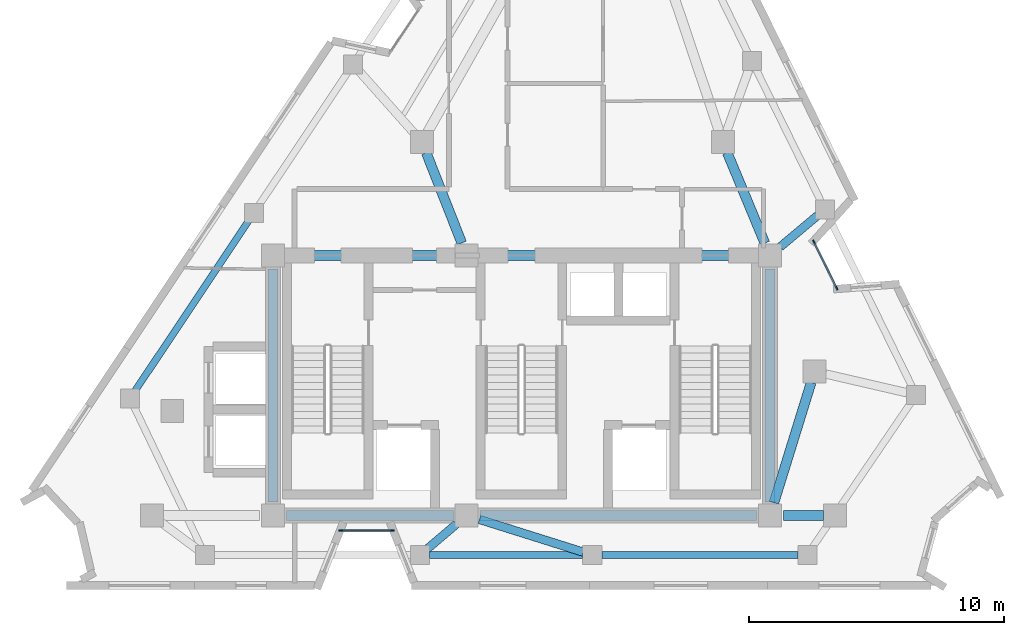
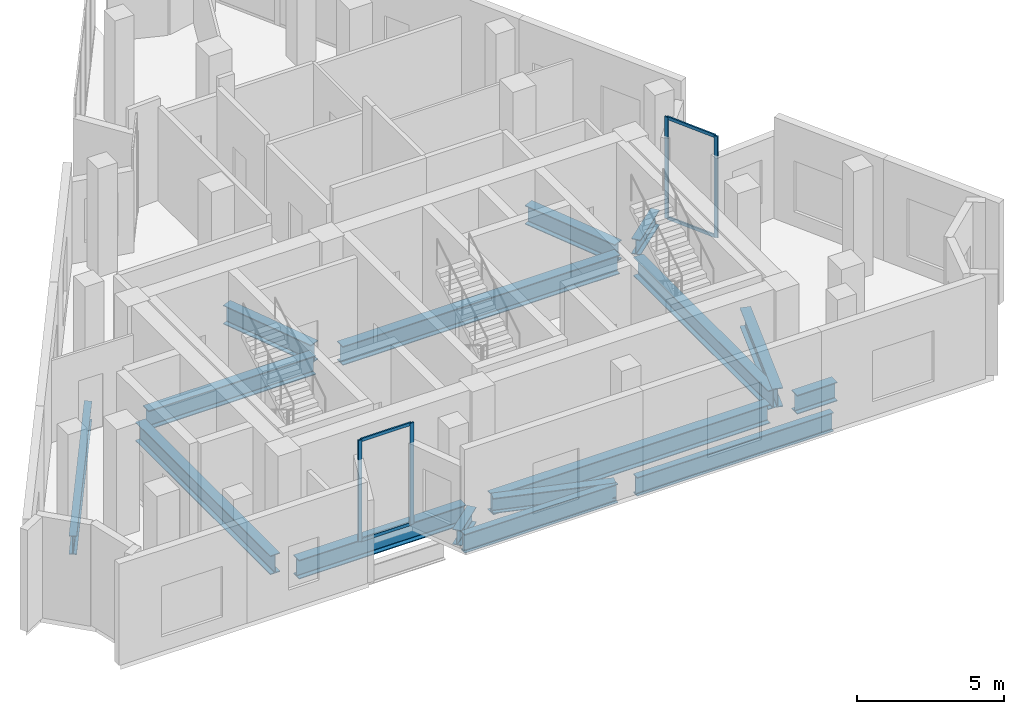
# One storey, part 2 of 9: 16 beams, 8 members, 2 elements without a shape of their own.
"""IFC4 building model written with IfcOpenShell, lengths in metres."""

from ifc_helpers import new_model, si_unit, direction, frame, origin, origin_2d, place, context, subcontext, project, spatial, rectangle, i_section, extrude, material, layer, layer_set, material_profile, profile_set, type_object, element, aggregate, save


model = new_model("IFC4")

# Units and contexts
model_context = context("Model", 3, precision=1e-05, world=origin(), true_north=direction((0.0, 1.0)))
body_context = subcontext(model_context, "Body", "Model", "MODEL_VIEW")
ifc_project = project(units=[si_unit("LENGTHUNIT", "METRE"), si_unit("AREAUNIT", "SQUARE_METRE"), si_unit("VOLUMEUNIT", "CUBIC_METRE"), si_unit("PLANEANGLEUNIT", "RADIAN"), si_unit("MASSUNIT", "GRAM", prefix="KILO")], contexts=[model_context])

# Site, building, storey
site_placement = place(None, origin())
site = spatial("IfcSite", under=ifc_project, at=site_placement, CompositionType="ELEMENT")
building_placement = place(site_placement, origin())
building = spatial("IfcBuilding", under=site, at=building_placement, Name="Almagre Mirador Tower", CompositionType="ELEMENT")
storey_placement = place(building_placement, frame((0.0, 0.0, 289.5)))
storey = spatial("IfcBuildingStorey", under=building, at=storey_placement, Name="L75", CompositionType="ELEMENT", Elevation=289.5)

# Beams
ifc_material_1 = material(Name="Steel ASTM A992 Grade 50", Category="steel")
ifc_material_profile_1 = material_profile(ifc_material_1, i_section(OverallWidth=0.26708984375, OverallDepth=0.779052734375, WebThickness=0.0166015625, FlangeThickness=0.030029296875, FilletRadius=0.02392578125, at=origin_2d()), Name="W30X148")
ifc_profile_set_1 = profile_set([ifc_material_profile_1], Name="Steel ASTM A992 Grade 50")
beam_type_1 = type_object("IfcBeamType", Name="BM-SPN-W30X148", PredefinedType="SPANDREL", material=ifc_profile_set_1)
beam_1_placement = place(storey_placement, frame((33.698974609375, 3.0, -0.689453125), z_axis=(1.0, 0.0, 0.0), x_axis=(0.0, 1.0, 0.0)))
element("IfcBeam", 1, at=beam_1_placement, inside=storey, type_object=beam_type_1, Name="L75 perimeter spandrel beam PC02-PC03", PredefinedType="SPANDREL", context=body_context, shape_type="SweptSolid", body=[
    extrude(i_section(OverallWidth=0.26708984375, OverallDepth=0.779052734375, WebThickness=0.0166015625, FlangeThickness=0.030029296875, FilletRadius=0.02392578125, at=origin_2d()), origin(), (0.0, 0.0, 1.0), 6.001953125),
])
beam_2_placement = place(storey_placement, frame((40.450927734375, 3.0, -0.689453125), z_axis=(1.0, 0.0, 0.0), x_axis=(0.0, 1.0, 0.0)))
element("IfcBeam", 2, at=beam_2_placement, inside=storey, type_object=beam_type_1, Name="L75 perimeter spandrel beam PC03-PC04", PredefinedType="SPANDREL", context=body_context, shape_type="SweptSolid", body=[
    extrude(i_section(OverallWidth=0.26708984375, OverallDepth=0.779052734375, WebThickness=0.0166015625, FlangeThickness=0.030029296875, FilletRadius=0.02392578125, at=origin_2d()), origin(), (0.0, 0.0, 1.0), 7.690185546875),
])
beam_3_placement = place(storey_placement, frame((26.595703125, 16.110107421875, -0.689453125), z_axis=(-0.555228061938, -0.831698141898, 0.0), x_axis=(0.831698141898, -0.555228061938, 0.0)))
element("IfcBeam", 3, at=beam_3_placement, inside=storey, type_object=beam_type_1, Name="L75 perimeter spandrel beam PC11-PC12", PredefinedType="SPANDREL", context=body_context, shape_type="SweptSolid", body=[
    extrude(i_section(OverallWidth=0.26708984375, OverallDepth=0.779052734375, WebThickness=0.0166015625, FlangeThickness=0.030029296875, FilletRadius=0.02392578125, at=origin_2d()), origin(), (0.0, 0.0, 1.0), 8.003173828125),
])
ifc_material_2 = material(Name="Steel ASTM A992 Grade 50", Category="steel")
ifc_material_profile_2 = material_profile(ifc_material_2, i_section(OverallWidth=0.330078125, OverallDepth=0.635009765625, WebThickness=0.017822265625, FlangeThickness=0.031005859375, FilletRadius=0.02001953125, at=origin_2d()), Name="W24X162")
ifc_profile_set_2 = profile_set([ifc_material_profile_2], Name="Steel ASTM A992 Grade 50")
beam_type_2 = type_object("IfcBeamType", Name="BM-STL-W24X162", PredefinedType="BEAM", material=ifc_profile_set_2)
beam_4_placement = place(storey_placement, frame((33.60986328125, 3.24267578125, -0.617431640625), z_axis=(0.762394394192, 0.647112654569, 0.0), x_axis=(-0.647112654569, 0.762394394192, 0.0)))
element("IfcBeam", 4, at=beam_4_placement, inside=storey, type_object=beam_type_2, Name="L75 radial floor girder PC02-CC2", PredefinedType="BEAM", context=body_context, shape_type="SweptSolid", body=[
    extrude(i_section(OverallWidth=0.330078125, OverallDepth=0.635009765625, WebThickness=0.017822265625, FlangeThickness=0.031005859375, FilletRadius=0.02001953125, at=origin_2d()), origin(), (0.0, 0.0, 1.0), 1.4951171875),
])
beam_5_placement = place(storey_placement, frame((39.71826171875, 3.112548828125, -0.617431640625), z_axis=(-0.953895402065, 0.300139237553, 0.0), x_axis=(-0.300139237553, -0.953895402065, 0.0)))
element("IfcBeam", 5, at=beam_5_placement, inside=storey, type_object=beam_type_2, Name="L75 radial floor girder PC03-CC2", PredefinedType="BEAM", context=body_context, shape_type="SweptSolid", body=[
    extrude(i_section(OverallWidth=0.330078125, OverallDepth=0.635009765625, WebThickness=0.017822265625, FlangeThickness=0.031005859375, FilletRadius=0.02001953125, at=origin_2d()), origin(), (0.0, 0.0, 1.0), 4.263916015625),
])
beam_6_placement = place(storey_placement, frame((48.917724609375, 16.31689453125, -0.617431640625), z_axis=(-0.766114512284, -0.642704095263, 0.0), x_axis=(0.642704095263, -0.766114512284, 0.0)))
element("IfcBeam", 6, at=beam_6_placement, inside=storey, type_object=beam_type_2, Name="L75 radial floor girder PC06-CC6", PredefinedType="BEAM", context=body_context, shape_type="SweptSolid", body=[
    extrude(i_section(OverallWidth=0.330078125, OverallDepth=0.635009765625, WebThickness=0.017822265625, FlangeThickness=0.031005859375, FilletRadius=0.02001953125, at=origin_2d()), origin(), (0.0, 0.0, 1.0), 1.9130859375),
])
ifc_material_3 = material(Name="Steel ASTM A992 Grade 50", Category="steel")
ifc_material_profile_3 = material_profile(ifc_material_3, i_section(OverallWidth=0.384033203125, OverallDepth=0.784912109375, WebThickness=0.019775390625, FlangeThickness=0.033447265625, FilletRadius=0.02392578125, at=origin_2d()), Name="W30X211")
ifc_profile_set_3 = profile_set([ifc_material_profile_3], Name="Steel ASTM A992 Grade 50")
beam_type_3 = type_object("IfcBeamType", Name="BM-STL-W30X211", PredefinedType="BEAM", material=ifc_profile_set_3)
beam_7_placement = place(storey_placement, frame((28.074951171875, 4.550048828125, -0.6923828125), z_axis=(1.0, 0.0, 0.0), x_axis=(0.0, 1.0, 0.0)))
element("IfcBeam", 7, at=beam_7_placement, inside=storey, type_object=beam_type_3, Name="L75 core tie girder CC1-CC2", PredefinedType="BEAM", context=body_context, shape_type="SweptSolid", body=[
    extrude(i_section(OverallWidth=0.384033203125, OverallDepth=0.784912109375, WebThickness=0.019775390625, FlangeThickness=0.033447265625, FilletRadius=0.02392578125, at=origin_2d()), origin(), (0.0, 0.0, 1.0), 6.550048828125),
])
beam_8_placement = place(storey_placement, frame((35.675048828125, 4.550048828125, -0.6923828125), z_axis=(1.0, 0.0, 0.0), x_axis=(0.0, 1.0, 0.0)))
element("IfcBeam", 8, at=beam_8_placement, inside=storey, type_object=beam_type_3, Name="L75 core tie girder CC2-CC3", PredefinedType="BEAM", context=body_context, shape_type="SweptSolid", body=[
    extrude(i_section(OverallWidth=0.384033203125, OverallDepth=0.784912109375, WebThickness=0.019775390625, FlangeThickness=0.033447265625, FilletRadius=0.02392578125, at=origin_2d()), origin(), (0.0, 0.0, 1.0), 10.849853515625),
])
beam_9_placement = place(storey_placement, frame((28.074951171875, 14.75, -0.6923828125), z_axis=(1.0, 0.0, 0.0), x_axis=(0.0, 1.0, 0.0)))
element("IfcBeam", 9, at=beam_9_placement, inside=storey, type_object=beam_type_3, Name="L75 core tie girder CC4-CC5", PredefinedType="BEAM", context=body_context, shape_type="SweptSolid", body=[
    extrude(i_section(OverallWidth=0.384033203125, OverallDepth=0.784912109375, WebThickness=0.019775390625, FlangeThickness=0.033447265625, FilletRadius=0.02392578125, at=origin_2d()), origin(), (0.0, 0.0, 1.0), 6.550048828125),
])
beam_10_placement = place(storey_placement, frame((35.675048828125, 14.75, -0.6923828125), z_axis=(1.0, 0.0, 0.0), x_axis=(0.0, 1.0, 0.0)))
element("IfcBeam", 10, at=beam_10_placement, inside=storey, type_object=beam_type_3, Name="L75 core tie girder CC5-CC6", PredefinedType="BEAM", context=body_context, shape_type="SweptSolid", body=[
    extrude(i_section(OverallWidth=0.384033203125, OverallDepth=0.784912109375, WebThickness=0.019775390625, FlangeThickness=0.033447265625, FilletRadius=0.02392578125, at=origin_2d()), origin(), (0.0, 0.0, 1.0), 10.849853515625),
])
for number, where, z_axis, x_axis, name in (
    (11, (27.550048828125, 5.074951171875, -0.6923828125), (0.0, 1.0, 0.0), (-1.0, 0.0, 0.0), "L75 core tie girder CC1-CC4"),
    (12, (47.050048828125, 5.074951171875, -0.6923828125), (0.0, 1.0, 0.0), (-1.0, 0.0, 0.0), "L75 core tie girder CC3-CC6"),
):
    element("IfcBeam", number, at=place(storey_placement, frame(where, z_axis=z_axis, x_axis=x_axis)), inside=storey, type_object=beam_type_3, Name=name, PredefinedType="BEAM", context=body_context, shape_type="SweptSolid", body=[
        extrude(i_section(OverallWidth=0.384033203125, OverallDepth=0.784912109375, WebThickness=0.019775390625, FlangeThickness=0.033447265625, FilletRadius=0.02392578125, at=origin_2d()), origin(), (0.0, 0.0, 1.0), 9.150146484375),
    ])
beam_11_placement = place(storey_placement, frame((49.14990234375, 4.550048828125, -0.6923828125), z_axis=(-1.0, 0.0, 0.0), x_axis=(0.0, -1.0, 0.0)))
element("IfcBeam", 13, at=beam_11_placement, inside=storey, type_object=beam_type_3, Name="L75 core tie girder MC2-CC3", PredefinedType="BEAM", context=body_context, shape_type="SweptSolid", body=[
    extrude(i_section(OverallWidth=0.384033203125, OverallDepth=0.784912109375, WebThickness=0.019775390625, FlangeThickness=0.033447265625, FilletRadius=0.02392578125, at=origin_2d()), origin(), (0.0, 0.0, 1.0), 1.574951171875),
])
beam_12_placement = place(storey_placement, frame((48.6669921875, 9.77001953125, -0.6923828125), z_axis=(-0.295901717967, -0.955218390372, 0.0), x_axis=(0.955218390372, -0.295901717967, 0.0)))
element("IfcBeam", 14, at=beam_12_placement, inside=storey, type_object=beam_type_3, Name="L75 core tie girder MC3-CC3", PredefinedType="BEAM", context=body_context, shape_type="SweptSolid", body=[
    extrude(i_section(OverallWidth=0.384033203125, OverallDepth=0.784912109375, WebThickness=0.019775390625, FlangeThickness=0.033447265625, FilletRadius=0.02392578125, at=origin_2d()), origin(), (0.0, 0.0, 1.0), 4.939697265625),
])
beam_13_placement = place(storey_placement, frame((45.372802734375, 18.784423828125, -0.6923828125), z_axis=(0.383862140668, -0.923390414159, 0.0), x_axis=(0.923390414159, 0.383862140668, 0.0)))
element("IfcBeam", 15, at=beam_13_placement, inside=storey, type_object=beam_type_3, Name="L75 core tie girder MC5-CC6", PredefinedType="BEAM", context=body_context, shape_type="SweptSolid", body=[
    extrude(i_section(OverallWidth=0.384033203125, OverallDepth=0.784912109375, WebThickness=0.019775390625, FlangeThickness=0.033447265625, FilletRadius=0.02392578125, at=origin_2d()), origin(), (0.0, 0.0, 1.0), 3.843994140625),
])
beam_14_placement = place(storey_placement, frame((33.564697265625, 18.78125, -0.6923828125), z_axis=(0.365999579355, -0.93061501595, 0.0), x_axis=(0.93061501595, 0.365999579355, 0.0)))
element("IfcBeam", 16, at=beam_14_placement, inside=storey, type_object=beam_type_3, Name="L75 core tie girder MC8-CC5", PredefinedType="BEAM", context=body_context, shape_type="SweptSolid", body=[
    extrude(i_section(OverallWidth=0.384033203125, OverallDepth=0.784912109375, WebThickness=0.019775390625, FlangeThickness=0.033447265625, FilletRadius=0.02392578125, at=origin_2d()), origin(), (0.0, 0.0, 1.0), 3.806884765625),
])

# Curtain wall, members
ifc_material_4 = material(Name="Black anodized aluminium", Category="aluminium")
ifc_layer = layer(ifc_material_4, 0.169921875)
ifc_layer_set = layer_set([ifc_layer], Name="Black anodized aluminium")
curtain_wall_type = type_object("IfcCurtainWallType", Name="CW-CRS-SYS", PredefinedType="NOTDEFINED", material=ifc_layer_set)
curtain_wall_1_placement = place(storey_placement, origin())
curtain_wall_1 = element("IfcCurtainWall", 17, at=curtain_wall_1_placement, inside=storey, type_object=curtain_wall_type, Name="L75 vertical crease curtain wall 05", PredefinedType="NOTDEFINED")
ifc_material_5 = material(Name="Black anodized aluminium", Category="aluminium")
ifc_material_profile_4 = material_profile(ifc_material_5, rectangle(XDim=0.06005859375, YDim=0.14990234375, at=origin_2d()), Name="CWM60X150")
ifc_profile_set_4 = profile_set([ifc_material_profile_4], Name="Black anodized aluminium")
member_type_1 = type_object("IfcMemberType", Name="MBR-CWM60X150", PredefinedType="MULLION", material=ifc_profile_set_4)
member_1_placement = place(storey_placement, frame((48.772216796875, 15.287109375, 0.0), z_axis=(0.0, 0.0, 1.0), x_axis=(0.897467953869, 0.441079666023, 0.0)))
member_1 = element("IfcMember", 18, at=member_1_placement, type_object=member_type_1, Name="CW-4 mullion 1", PredefinedType="MULLION", context=body_context, shape_type="SweptSolid", body=[
    extrude(rectangle(XDim=0.06005859375, YDim=0.14990234375, at=origin_2d()), origin(), (0.0, 0.0, 1.0), 4.199951171875),
])
member_2_placement = place(storey_placement, frame((49.667724609375, 13.46484375, 0.0), z_axis=(0.0, 0.0, 1.0), x_axis=(0.897467953869, 0.441079666023, 0.0)))
member_2 = element("IfcMember", 19, at=member_2_placement, type_object=member_type_1, Name="CW-4 mullion 2", PredefinedType="MULLION", context=body_context, shape_type="SweptSolid", body=[
    extrude(rectangle(XDim=0.06005859375, YDim=0.14990234375, at=origin_2d()), origin(), (0.0, 0.0, 1.0), 4.199951171875),
])

curtain_wall_2_placement = place(storey_placement, origin())
curtain_wall_2 = element("IfcCurtainWall", 20, at=curtain_wall_2_placement, inside=storey, type_object=curtain_wall_type, Name="L75 vertical crease curtain wall 06", PredefinedType="NOTDEFINED")
member_3_placement = place(storey_placement, frame((32.242919921875, 3.949951171875, 0.0), z_axis=(0.0, 0.0, 1.0), x_axis=(0.0, -1.0, 0.0)))
member_3 = element("IfcMember", 21, at=member_3_placement, type_object=member_type_1, Name="CW-4 mullion 1", PredefinedType="MULLION", context=body_context, shape_type="SweptSolid", body=[
    extrude(rectangle(XDim=0.06005859375, YDim=0.14990234375, at=origin_2d()), origin(), (0.0, 0.0, 1.0), 4.199951171875),
])
member_4_placement = place(storey_placement, frame((30.212890625, 3.949951171875, 0.0), z_axis=(0.0, 0.0, 1.0), x_axis=(0.0, -1.0, 0.0)))
member_4 = element("IfcMember", 22, at=member_4_placement, type_object=member_type_1, Name="CW-4 mullion 2", PredefinedType="MULLION", context=body_context, shape_type="SweptSolid", body=[
    extrude(rectangle(XDim=0.06005859375, YDim=0.14990234375, at=origin_2d()), origin(), (0.0, 0.0, 1.0), 4.199951171875),
])

# Member
ifc_material_6 = material(Name="Black anodized aluminium", Category="aluminium")
ifc_material_profile_5 = material_profile(ifc_material_6, rectangle(XDim=0.06005859375, YDim=0.1298828125, at=origin_2d()), Name="CWT60X130")
ifc_profile_set_5 = profile_set([ifc_material_profile_5], Name="Black anodized aluminium")
member_type_2 = type_object("IfcMemberType", Name="MBR-CWT60X130", PredefinedType="USERDEFINED", material=ifc_profile_set_5)
member_5_placement = place(storey_placement, frame((48.785400390625, 15.26025390625, 0.030029296875), z_axis=(0.441107009828, -0.897454514658, 0.0), x_axis=(0.897454514658, 0.441107009828, 0.0)))
member_5 = element("IfcMember", 23, at=member_5_placement, type_object=member_type_2, Name="CW-4 transom 1.1", ObjectType="TRANSOM", PredefinedType="USERDEFINED", context=body_context, shape_type="SweptSolid", body=[
    extrude(rectangle(XDim=0.06005859375, YDim=0.1298828125, at=origin_2d()), origin(), (0.0, 0.0, 1.0), 1.970458984375),
])

member_6_placement = place(storey_placement, frame((48.785400390625, 15.26025390625, 4.169921875), z_axis=(0.441107009828, -0.897454514658, 0.0), x_axis=(0.897454514658, 0.441107009828, 0.0)))
member_6 = element("IfcMember", 24, at=member_6_placement, type_object=member_type_2, Name="CW-4 transom 1.2", ObjectType="TRANSOM", PredefinedType="USERDEFINED", context=body_context, shape_type="SweptSolid", body=[
    extrude(rectangle(XDim=0.06005859375, YDim=0.1298828125, at=origin_2d()), origin(), (0.0, 0.0, 1.0), 1.970458984375),
])

aggregate(curtain_wall_1, [member_1, member_2, member_5, member_6])

member_7_placement = place(storey_placement, frame((32.212890625, 3.949951171875, 0.030029296875), z_axis=(-1.0, 0.0, 0.0), x_axis=(0.0, -1.0, 0.0)))
member_7 = element("IfcMember", 25, at=member_7_placement, type_object=member_type_2, Name="CW-4 transom 1.1", ObjectType="TRANSOM", PredefinedType="USERDEFINED", context=body_context, shape_type="SweptSolid", body=[
    extrude(rectangle(XDim=0.06005859375, YDim=0.1298828125, at=origin_2d()), origin(), (0.0, 0.0, 1.0), 1.969970703125),
])

member_8_placement = place(storey_placement, frame((32.212890625, 3.949951171875, 4.169921875), z_axis=(-1.0, 0.0, 0.0), x_axis=(0.0, -1.0, 0.0)))
member_8 = element("IfcMember", 26, at=member_8_placement, type_object=member_type_2, Name="CW-4 transom 1.2", ObjectType="TRANSOM", PredefinedType="USERDEFINED", context=body_context, shape_type="SweptSolid", body=[
    extrude(rectangle(XDim=0.06005859375, YDim=0.1298828125, at=origin_2d()), origin(), (0.0, 0.0, 1.0), 1.969970703125),
])

aggregate(curtain_wall_2, [member_3, member_4, member_7, member_8])

save(model, "model.ifc")
